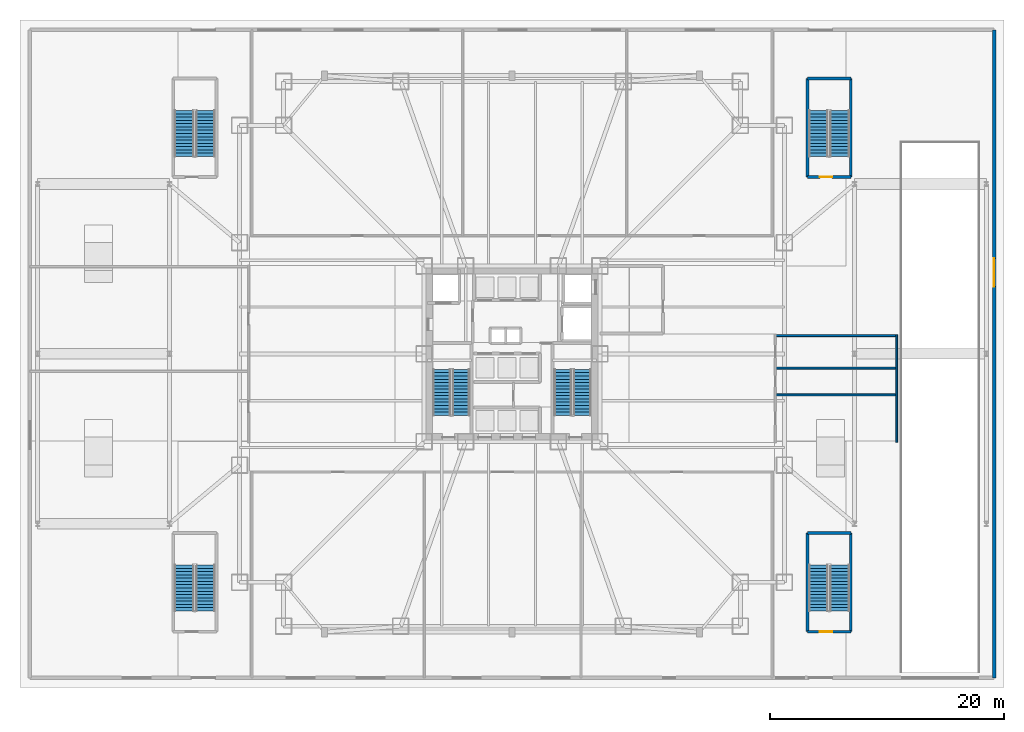
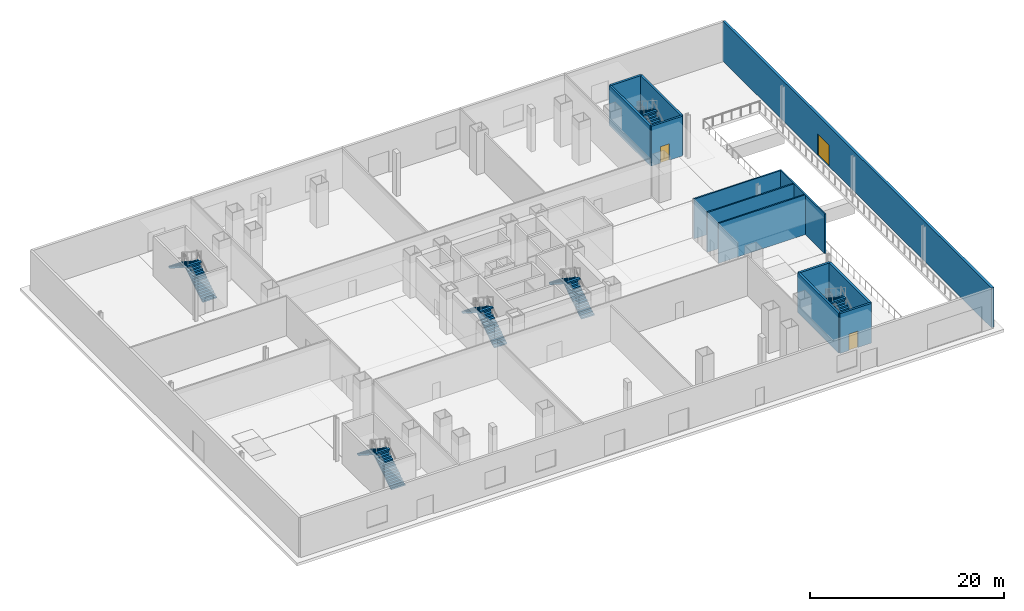
# One storey, part 11 of 24: 13 walls, 12 stair flights, 3 doors, 3 openings, 6 elements without a shape of their own.
"""IFC4 building model written with IfcOpenShell, lengths in metres."""

from ifc_helpers import new_model, si_unit, direction, frame, frame_2d, origin, place, context, subcontext, project, spatial, polyline, rectangle, outline, extrude, material, layer, layer_set, type_object, element, fill, aggregate, save


model = new_model("IFC4")

# Units and contexts
model_context = context("Model", 3, precision=1e-05, world=origin(), true_north=direction((0.0, 1.0)))
body_context = subcontext(model_context, "Body", "Model", "MODEL_VIEW")
ifc_project = project(units=[si_unit("LENGTHUNIT", "METRE"), si_unit("AREAUNIT", "SQUARE_METRE"), si_unit("VOLUMEUNIT", "CUBIC_METRE"), si_unit("PLANEANGLEUNIT", "RADIAN"), si_unit("MASSUNIT", "GRAM", prefix="KILO")], contexts=[model_context])

# Site, building, storey
site_placement = place(None, origin())
site = spatial("IfcSite", under=ifc_project, at=site_placement, CompositionType="ELEMENT")
building_placement = place(site_placement, origin())
building = spatial("IfcBuilding", under=site, at=building_placement, Name="Trevonay Congress Spire", CompositionType="ELEMENT")
storey_placement = place(building_placement, origin())
storey = spatial("IfcBuildingStorey", under=building, at=storey_placement, Name="L00", CompositionType="ELEMENT", Elevation=0.0)

# Wall, opening, door
ifc_material_1 = material(Name="Precast concrete C40/50", Category="concrete")
ifc_layer_1 = layer(ifc_material_1, 0.300048828125, Name="Precast concrete C40/50")
ifc_layer_set_1 = layer_set([ifc_layer_1], Name="Precast concrete C40/50")
wall_type_1 = type_object("IfcWallType", Name="WAL-EXT-PRECAST-300", PredefinedType="SOLIDWALL", material=ifc_layer_set_1)
wall_1_placement = place(storey_placement, frame((41.14990234375, 27.64990234375, 0.0), z_axis=(0.0, 0.0, 1.0), x_axis=(0.0, -1.0, 0.0)))
wall_1 = element("IfcWall", 1, at=wall_1_placement, inside=storey, type_object=wall_type_1, Name="L00 East colonnade backup wall", PredefinedType="SOLIDWALL", context=body_context, shape_type="SweptSolid", body=[
    extrude(rectangle(XDim=55.2998046875, YDim=0.300048828125, at=frame_2d((27.64990234375, 0.0))), origin(), (0.0, 0.0, 1.0), 5.0),
])
opening_1_placement = place(wall_1_placement, frame((19.5, 0.0, 0.0)))
opening_1 = element("IfcOpeningElement", 2, at=opening_1_placement, cuts=wall_1, Name="Opening D01", PredefinedType="OPENING", context=body_context, shape_type="SweptSolid", body=[
    extrude(rectangle(XDim=2.39990234375, YDim=2.699951171875, at=frame_2d((1.199951171875, 1.35009765625))), frame((0.0, 0.16015625, 0.0), z_axis=(0.0, -1.0, 0.0), x_axis=(1.0, 0.0, 0.0)), (0.0, 0.0, 1.0), 0.320068359375),
])
ifc_material_2 = material(Name="Pale Anodised Aluminium EN AW-6063-T6", Category="aluminium")
door_type_1 = type_object("IfcDoorType", Name="DOR-EXT-ENTR-DBL", OperationType="DOUBLE_DOOR_SINGLE_SWING", PredefinedType="DOOR", material=ifc_material_2)
door_1_placement = place(opening_1_placement, origin())
door_1 = element("IfcDoor", 3, at=door_1_placement, inside=storey, type_object=door_type_1, Name="L00 East plaza entrance portal door", OperationType="DOUBLE_DOOR_SINGLE_SWING", OverallHeight=2.699951171875, OverallWidth=2.39990234375, PredefinedType="DOOR", context=body_context, shape_type="SweptSolid", body=[
    extrude(rectangle(XDim=2.39990234375, YDim=2.699951171875, at=frame_2d((1.199951171875, 1.35009765625))), frame((0.0, 0.02490234375, 0.0), z_axis=(0.0, -1.0, 0.0), x_axis=(1.0, 0.0, 0.0)), (0.0, 0.0, 1.0), 0.050048828125),
])
fill(opening_1, door_1)

# Wall
ifc_material_3 = material(Name="Concrete C40/50", Category="concrete")
ifc_layer_2 = layer(ifc_material_3, 0.14990234375, Name="Concrete C40/50")
ifc_layer_set_2 = layer_set([ifc_layer_2], Name="Concrete C40/50")
wall_type_2 = type_object("IfcWallType", Name="WAL-PART-150", PredefinedType="PARTITIONING", material=ifc_layer_set_2)
wall_2_placement = place(storey_placement, frame((32.85009765625, -7.550048828125, 0.0), z_axis=(0.0, 0.0, 1.0), x_axis=(0.0, 1.0, 0.0)))
element("IfcWall", 4, at=wall_2_placement, inside=storey, type_object=wall_type_2, Name="L00 interior wall WL00-ECLS", PredefinedType="PARTITIONING", context=body_context, shape_type="SweptSolid", body=[
    extrude(rectangle(XDim=9.199951171875, YDim=0.14990234375, at=frame_2d((4.60009765625, 0.0))), origin(), (0.0, 0.0, 1.0), 5.0),
])

# Wall, opening, door
ifc_layer_3 = layer(ifc_material_3, 0.25, Name="Concrete C40/50")
ifc_layer_set_3 = layer_set([ifc_layer_3], Name="Concrete C40/50")
wall_type_3 = type_object("IfcWallType", Name="WAL-SHAFT-LB-250", PredefinedType="SHEAR", material=ifc_layer_set_3)
wall_3_placement = place(storey_placement, frame((25.22998046875, -23.719970703125, 0.0), z_axis=(0.0, 0.0, 1.0), x_axis=(1.0, 0.0, 0.0)))
wall_3 = element("IfcWall", 5, at=wall_3_placement, inside=storey, type_object=wall_type_3, Name="L00 interior shaft wall WSH-L00-ST-4-S", PredefinedType="SHEAR", context=body_context, shape_type="SweptSolid", body=[
    extrude(rectangle(XDim=3.68994140625, YDim=0.25, at=frame_2d((1.844970703125, 0.0))), origin(), (0.0, 0.0, 1.0), 5.0),
])
opening_2_placement = place(wall_3_placement, frame((1.050048828125, 0.0, 0.0)))
opening_2 = element("IfcOpeningElement", 6, at=opening_2_placement, cuts=wall_3, Name="Opening D05", PredefinedType="OPENING", context=body_context, shape_type="SweptSolid", body=[
    extrude(rectangle(XDim=1.050048828125, YDim=2.080078125, at=frame_2d((0.52490234375, 1.0400390625))), frame((0.0, 0.135009765625, 0.0), z_axis=(0.0, -1.0, 0.0), x_axis=(1.0, 0.0, 0.0)), (0.0, 0.0, 1.0), 0.27001953125),
])
ifc_material_4 = material(Name="Steel ASTM A572 Grade 50", Category="steel")
door_type_2 = type_object("IfcDoorType", Name="DOR-STAIR-110", OperationType="NOTDEFINED", PredefinedType="DOOR", material=ifc_material_4)
door_2_placement = place(opening_2_placement, origin())
door_2 = element("IfcDoor", 7, at=door_2_placement, inside=storey, type_object=door_type_2, Name="L00 Escape Stair ST-4 Door", OperationType="SINGLE_SWING_LEFT", OverallHeight=2.080078125, OverallWidth=1.050048828125, PredefinedType="DOOR", context=body_context, shape_type="SweptSolid", body=[
    extrude(rectangle(XDim=1.050048828125, YDim=2.080078125, at=frame_2d((0.52490234375, 1.0400390625))), frame((0.0, 0.02490234375, 0.0), z_axis=(0.0, -1.0, 0.0), x_axis=(1.0, 0.0, 0.0)), (0.0, 0.0, 1.0), 0.050048828125),
])
fill(opening_2, door_2)

# Walls
wall_4_placement = place(storey_placement, frame((25.22998046875, -15.280029296875, 0.0), z_axis=(0.0, 0.0, 1.0), x_axis=(1.0, 0.0, 0.0)))
element("IfcWall", 8, at=wall_4_placement, inside=storey, type_object=wall_type_3, Name="L00 interior shaft wall WSH-L00-ST-4-N", PredefinedType="SHEAR", context=body_context, shape_type="SweptSolid", body=[
    extrude(rectangle(XDim=3.68994140625, YDim=0.25, at=frame_2d((1.844970703125, 0.0))), origin(), (0.0, 0.0, 1.0), 5.0),
])
for number, where, z_axis, x_axis, name in (
    (9, (25.22998046875, -23.719970703125, 0.0), (0.0, 0.0, 1.0), (0.0, 1.0, 0.0), "L00 interior shaft wall WSH-L00-ST-4-W"),
    (10, (28.919921875, -23.719970703125, 0.0), (0.0, 0.0, 1.0), (0.0, 1.0, 0.0), "L00 interior shaft wall WSH-L00-ST-4-E"),
):
    element("IfcWall", number, at=place(storey_placement, frame(where, z_axis=z_axis, x_axis=x_axis)), inside=storey, type_object=wall_type_3, Name=name, PredefinedType="SHEAR", context=body_context, shape_type="SweptSolid", body=[
        extrude(rectangle(XDim=8.43994140625, YDim=0.25, at=frame_2d((4.219970703125, 0.0))), origin(), (0.0, 0.0, 1.0), 5.0),
    ])

# Wall, opening, door
wall_5_placement = place(storey_placement, frame((25.22998046875, 15.080078125, 0.0), z_axis=(0.0, 0.0, 1.0), x_axis=(1.0, 0.0, 0.0)))
wall_5 = element("IfcWall", 11, at=wall_5_placement, inside=storey, type_object=wall_type_3, Name="L00 interior shaft wall WSH-L00-ST-6-S", PredefinedType="SHEAR", context=body_context, shape_type="SweptSolid", body=[
    extrude(rectangle(XDim=3.68994140625, YDim=0.25, at=frame_2d((1.844970703125, 0.0))), origin(), (0.0, 0.0, 1.0), 5.0),
])
opening_3_placement = place(wall_5_placement, frame((1.050048828125, 0.0, 0.0)))
opening_3 = element("IfcOpeningElement", 12, at=opening_3_placement, cuts=wall_5, Name="Opening D05", PredefinedType="OPENING", context=body_context, shape_type="SweptSolid", body=[
    extrude(rectangle(XDim=1.050048828125, YDim=2.080078125, at=frame_2d((0.52490234375, 1.0400390625))), frame((0.0, 0.135009765625, 0.0), z_axis=(0.0, -1.0, 0.0), x_axis=(1.0, 0.0, 0.0)), (0.0, 0.0, 1.0), 0.27001953125),
])
door_3_placement = place(opening_3_placement, origin())
door_3 = element("IfcDoor", 13, at=door_3_placement, inside=storey, type_object=door_type_2, Name="L00 Escape Stair ST-6 Door", OperationType="SINGLE_SWING_LEFT", OverallHeight=2.080078125, OverallWidth=1.050048828125, PredefinedType="DOOR", context=body_context, shape_type="SweptSolid", body=[
    extrude(rectangle(XDim=1.050048828125, YDim=2.080078125, at=frame_2d((0.52490234375, 1.0400390625))), frame((0.0, 0.02490234375, 0.0), z_axis=(0.0, -1.0, 0.0), x_axis=(1.0, 0.0, 0.0)), (0.0, 0.0, 1.0), 0.050048828125),
])
fill(opening_3, door_3)

# Walls
wall_6_placement = place(storey_placement, frame((25.22998046875, 23.52001953125, 0.0), z_axis=(0.0, 0.0, 1.0), x_axis=(1.0, 0.0, 0.0)))
element("IfcWall", 14, at=wall_6_placement, inside=storey, type_object=wall_type_3, Name="L00 interior shaft wall WSH-L00-ST-6-N", PredefinedType="SHEAR", context=body_context, shape_type="SweptSolid", body=[
    extrude(rectangle(XDim=3.68994140625, YDim=0.25, at=frame_2d((1.844970703125, 0.0))), origin(), (0.0, 0.0, 1.0), 5.0),
])
for number, where, z_axis, x_axis, name in (
    (15, (25.22998046875, 15.080078125, 0.0), (0.0, 0.0, 1.0), (0.0, 1.0, 0.0), "L00 interior shaft wall WSH-L00-ST-6-W"),
    (16, (28.919921875, 15.080078125, 0.0), (0.0, 0.0, 1.0), (0.0, 1.0, 0.0), "L00 interior shaft wall WSH-L00-ST-6-E"),
):
    element("IfcWall", number, at=place(storey_placement, frame(where, z_axis=z_axis, x_axis=x_axis)), inside=storey, type_object=wall_type_3, Name=name, PredefinedType="SHEAR", context=body_context, shape_type="SweptSolid", body=[
        extrude(rectangle(XDim=8.43994140625, YDim=0.25, at=frame_2d((4.219970703125, 0.0))), origin(), (0.0, 0.0, 1.0), 5.0),
    ])
ifc_layer_4 = layer(ifc_material_3, 0.1650390625, Name="Concrete C40/50")
ifc_layer_set_4 = layer_set([ifc_layer_4], Name="Concrete C40/50")
wall_type_4 = type_object("IfcWallType", Name="WAL-WET-165", PredefinedType="PLUMBINGWALL", material=ifc_layer_set_4)
for number, where, z_axis, x_axis, name in (
    (17, (22.47998046875, -1.219970703125, 0.0), (0.0, 0.0, 1.0), (1.0, 0.0, 0.0), "L00 interior wall WP-L00E-WCS2"),
    (18, (22.47998046875, -3.5, 0.0), (0.0, 0.0, 1.0), (1.0, 0.0, 0.0), "L00 interior wall WP-L00E-DIV1"),
    (19, (22.47998046875, 1.550048828125, 0.0), (0.0, 0.0, 1.0), (1.0, 0.0, 0.0), "L00 interior wall WP-L00E-DIV2"),
):
    element("IfcWall", number, at=place(storey_placement, frame(where, z_axis=z_axis, x_axis=x_axis)), inside=storey, type_object=wall_type_4, Name=name, PredefinedType="PLUMBINGWALL", context=body_context, shape_type="SweptSolid", body=[
        extrude(rectangle(XDim=10.3701171875, YDim=0.1650390625, at=frame_2d((5.18505859375, 0.0))), origin(), (0.0, 0.0, 1.0), 5.0),
    ])

# Stair, stair flights
stair_type_1 = type_object("IfcStairType", Name="STR-ST-1", PredefinedType="HALF_TURN_STAIR", material=ifc_material_3)
stair_1_placement = place(storey_placement, origin())
stair_1 = element("IfcStair", 20, at=stair_1_placement, inside=storey, type_object=stair_type_1, Name="L00 Protected Exit Stair ST-1", PredefinedType="HALF_TURN_STAIR")
stair_flight_type_1 = type_object("IfcStairFlightType", Name="SFL-ST-1", PredefinedType="STRAIGHT", material=ifc_material_3)
stair_flight_1_placement = place(storey_placement, frame((-4.35009765625, -5.25, 0.0), z_axis=(0.0, 0.0, 1.0), x_axis=(0.0, 1.0, 0.0)))
stair_flight_1 = element("IfcStairFlight", 21, at=stair_flight_1_placement, type_object=stair_flight_type_1, Name="ST-1 flight 1", NumberOfRisers=15, NumberOfTreads=14, PredefinedType="STRAIGHT", RiserHeight=0.18, TreadLength=0.28, context=body_context, shape_type="SweptSolid", body=[
    extrude(outline(polyline([(0.0, 0.0), (0.0, 0.179931640625), (0.280029296875, 0.179931640625), (0.280029296875, 0.360107421875), (0.56005859375, 0.360107421875), (0.56005859375, 0.5400390625), (0.840087890625, 0.5400390625), (0.840087890625, 0.719970703125), (1.1201171875, 0.719970703125), (1.1201171875, 0.89990234375), (1.39990234375, 0.89990234375), (1.39990234375, 1.080078125), (1.679931640625, 1.080078125), (1.679931640625, 1.260009765625), (1.9599609375, 1.260009765625), (1.9599609375, 1.43994140625), (2.239990234375, 1.43994140625), (2.239990234375, 1.6201171875), (2.52001953125, 1.6201171875), (2.52001953125, 1.800048828125), (2.800048828125, 1.800048828125), (2.800048828125, 1.97998046875), (3.080078125, 1.97998046875), (3.080078125, 2.159912109375), (3.360107421875, 2.159912109375), (3.360107421875, 2.340087890625), (3.639892578125, 2.340087890625), (3.639892578125, 2.52001953125), (3.919921875, 2.52001953125), (3.919921875, 2.699951171875), (3.919921875, 2.341796875), (0.277099609375, 0.0), (0.0, 0.0)])), frame((0.0, 0.75, 0.0), z_axis=(0.0, -1.0, 0.0), x_axis=(1.0, 0.0, 0.0)), (0.0, 0.0, 1.0), 1.5),
])
stair_flight_2_placement = place(storey_placement, frame((-6.0, -1.330078125, 2.699951171875), z_axis=(0.0, 0.0, 1.0), x_axis=(0.0, -1.0, 0.0)))
stair_flight_2 = element("IfcStairFlight", 22, at=stair_flight_2_placement, type_object=stair_flight_type_1, Name="ST-1 flight 2", NumberOfRisers=15, NumberOfTreads=14, PredefinedType="STRAIGHT", RiserHeight=0.18, TreadLength=0.28, context=body_context, shape_type="SweptSolid", body=[
    extrude(outline(polyline([(0.0, 0.0), (0.0, 0.179931640625), (0.280029296875, 0.179931640625), (0.280029296875, 0.360107421875), (0.56005859375, 0.360107421875), (0.56005859375, 0.5400390625), (0.840087890625, 0.5400390625), (0.840087890625, 0.719970703125), (1.1201171875, 0.719970703125), (1.1201171875, 0.89990234375), (1.39990234375, 0.89990234375), (1.39990234375, 1.080078125), (1.679931640625, 1.080078125), (1.679931640625, 1.260009765625), (1.9599609375, 1.260009765625), (1.9599609375, 1.43994140625), (2.239990234375, 1.43994140625), (2.239990234375, 1.6201171875), (2.52001953125, 1.6201171875), (2.52001953125, 1.800048828125), (2.800048828125, 1.800048828125), (2.800048828125, 1.97998046875), (3.080078125, 1.97998046875), (3.080078125, 2.159912109375), (3.360107421875, 2.159912109375), (3.360107421875, 2.340087890625), (3.639892578125, 2.340087890625), (3.639892578125, 2.52001953125), (3.919921875, 2.52001953125), (3.919921875, 2.699951171875), (3.919921875, 2.341796875), (0.277099609375, 0.0), (0.0, 0.0)])), frame((0.0, 0.75, 0.0), z_axis=(0.0, -1.0, 0.0), x_axis=(1.0, 0.0, 0.0)), (0.0, 0.0, 1.0), 1.5),
])
aggregate(stair_1, [stair_flight_1, stair_flight_2])

stair_type_2 = type_object("IfcStairType", Name="STR-ST-2", PredefinedType="HALF_TURN_STAIR", material=ifc_material_3)
stair_2_placement = place(storey_placement, origin())
stair_2 = element("IfcStair", 23, at=stair_2_placement, inside=storey, type_object=stair_type_2, Name="L00 Protected Exit Stair ST-2", PredefinedType="HALF_TURN_STAIR")
stair_flight_type_2 = type_object("IfcStairFlightType", Name="SFL-ST-2", PredefinedType="STRAIGHT", material=ifc_material_3)
stair_flight_3_placement = place(storey_placement, frame((6.0, -5.25, 0.0), z_axis=(0.0, 0.0, 1.0), x_axis=(0.0, 1.0, 0.0)))
stair_flight_3 = element("IfcStairFlight", 24, at=stair_flight_3_placement, type_object=stair_flight_type_2, Name="ST-2 flight 1", NumberOfRisers=15, NumberOfTreads=14, PredefinedType="STRAIGHT", RiserHeight=0.18, TreadLength=0.28, context=body_context, shape_type="SweptSolid", body=[
    extrude(outline(polyline([(0.0, 0.0), (0.0, 0.179931640625), (0.280029296875, 0.179931640625), (0.280029296875, 0.360107421875), (0.56005859375, 0.360107421875), (0.56005859375, 0.5400390625), (0.840087890625, 0.5400390625), (0.840087890625, 0.719970703125), (1.1201171875, 0.719970703125), (1.1201171875, 0.89990234375), (1.39990234375, 0.89990234375), (1.39990234375, 1.080078125), (1.679931640625, 1.080078125), (1.679931640625, 1.260009765625), (1.9599609375, 1.260009765625), (1.9599609375, 1.43994140625), (2.239990234375, 1.43994140625), (2.239990234375, 1.6201171875), (2.52001953125, 1.6201171875), (2.52001953125, 1.800048828125), (2.800048828125, 1.800048828125), (2.800048828125, 1.97998046875), (3.080078125, 1.97998046875), (3.080078125, 2.159912109375), (3.360107421875, 2.159912109375), (3.360107421875, 2.340087890625), (3.639892578125, 2.340087890625), (3.639892578125, 2.52001953125), (3.919921875, 2.52001953125), (3.919921875, 2.699951171875), (3.919921875, 2.341796875), (0.277099609375, 0.0), (0.0, 0.0)])), frame((0.0, 0.75, 0.0), z_axis=(0.0, -1.0, 0.0), x_axis=(1.0, 0.0, 0.0)), (0.0, 0.0, 1.0), 1.5),
])
stair_flight_4_placement = place(storey_placement, frame((4.35009765625, -1.330078125, 2.699951171875), z_axis=(0.0, 0.0, 1.0), x_axis=(0.0, -1.0, 0.0)))
stair_flight_4 = element("IfcStairFlight", 25, at=stair_flight_4_placement, type_object=stair_flight_type_2, Name="ST-2 flight 2", NumberOfRisers=15, NumberOfTreads=14, PredefinedType="STRAIGHT", RiserHeight=0.18, TreadLength=0.28, context=body_context, shape_type="SweptSolid", body=[
    extrude(outline(polyline([(0.0, 0.0), (0.0, 0.179931640625), (0.280029296875, 0.179931640625), (0.280029296875, 0.360107421875), (0.56005859375, 0.360107421875), (0.56005859375, 0.5400390625), (0.840087890625, 0.5400390625), (0.840087890625, 0.719970703125), (1.1201171875, 0.719970703125), (1.1201171875, 0.89990234375), (1.39990234375, 0.89990234375), (1.39990234375, 1.080078125), (1.679931640625, 1.080078125), (1.679931640625, 1.260009765625), (1.9599609375, 1.260009765625), (1.9599609375, 1.43994140625), (2.239990234375, 1.43994140625), (2.239990234375, 1.6201171875), (2.52001953125, 1.6201171875), (2.52001953125, 1.800048828125), (2.800048828125, 1.800048828125), (2.800048828125, 1.97998046875), (3.080078125, 1.97998046875), (3.080078125, 2.159912109375), (3.360107421875, 2.159912109375), (3.360107421875, 2.340087890625), (3.639892578125, 2.340087890625), (3.639892578125, 2.52001953125), (3.919921875, 2.52001953125), (3.919921875, 2.699951171875), (3.919921875, 2.341796875), (0.277099609375, 0.0), (0.0, 0.0)])), frame((0.0, 0.75, 0.0), z_axis=(0.0, -1.0, 0.0), x_axis=(1.0, 0.0, 0.0)), (0.0, 0.0, 1.0), 1.5),
])
aggregate(stair_2, [stair_flight_3, stair_flight_4])

stair_type_3 = type_object("IfcStairType", Name="STR-ST-3", PredefinedType="HALF_TURN_STAIR", material=ifc_material_3)
stair_3_placement = place(storey_placement, origin())
stair_3 = element("IfcStair", 26, at=stair_3_placement, inside=storey, type_object=stair_type_3, Name="L00 Protected Exit Stair ST-3", PredefinedType="HALF_TURN_STAIR")
stair_flight_type_3 = type_object("IfcStairFlightType", Name="SFL-ST-3", PredefinedType="STRAIGHT", material=ifc_material_3)
stair_flight_5_placement = place(storey_placement, frame((-26.175048828125, -21.949951171875, 0.0), z_axis=(0.0, 0.0, 1.0), x_axis=(0.0, 1.0, 0.0)))
stair_flight_5 = element("IfcStairFlight", 27, at=stair_flight_5_placement, type_object=stair_flight_type_3, Name="ST-3 flight 1", NumberOfRisers=15, NumberOfTreads=14, PredefinedType="STRAIGHT", RiserHeight=0.18, TreadLength=0.28, context=body_context, shape_type="SweptSolid", body=[
    extrude(outline(polyline([(0.0, 0.0), (0.0, 0.179931640625), (0.280029296875, 0.179931640625), (0.280029296875, 0.360107421875), (0.56005859375, 0.360107421875), (0.56005859375, 0.5400390625), (0.840087890625, 0.5400390625), (0.840087890625, 0.719970703125), (1.1201171875, 0.719970703125), (1.1201171875, 0.89990234375), (1.39990234375, 0.89990234375), (1.39990234375, 1.080078125), (1.679931640625, 1.080078125), (1.679931640625, 1.260009765625), (1.9599609375, 1.260009765625), (1.9599609375, 1.43994140625), (2.239990234375, 1.43994140625), (2.239990234375, 1.6201171875), (2.52001953125, 1.6201171875), (2.52001953125, 1.800048828125), (2.800048828125, 1.800048828125), (2.800048828125, 1.97998046875), (3.080078125, 1.97998046875), (3.080078125, 2.159912109375), (3.360107421875, 2.159912109375), (3.360107421875, 2.340087890625), (3.639892578125, 2.340087890625), (3.639892578125, 2.52001953125), (3.919921875, 2.52001953125), (3.919921875, 2.699951171875), (3.919921875, 2.341796875), (0.277099609375, 0.0), (0.0, 0.0)])), frame((0.0, 0.824951171875, 0.0), z_axis=(0.0, -1.0, 0.0), x_axis=(1.0, 0.0, 0.0)), (0.0, 0.0, 1.0), 1.64990234375),
])
stair_flight_6_placement = place(storey_placement, frame((-27.97509765625, -18.030029296875, 2.699951171875), z_axis=(0.0, 0.0, 1.0), x_axis=(0.0, -1.0, 0.0)))
stair_flight_6 = element("IfcStairFlight", 28, at=stair_flight_6_placement, type_object=stair_flight_type_3, Name="ST-3 flight 2", NumberOfRisers=15, NumberOfTreads=14, PredefinedType="STRAIGHT", RiserHeight=0.18, TreadLength=0.28, context=body_context, shape_type="SweptSolid", body=[
    extrude(outline(polyline([(0.0, 0.0), (0.0, 0.179931640625), (0.280029296875, 0.179931640625), (0.280029296875, 0.360107421875), (0.56005859375, 0.360107421875), (0.56005859375, 0.5400390625), (0.840087890625, 0.5400390625), (0.840087890625, 0.719970703125), (1.1201171875, 0.719970703125), (1.1201171875, 0.89990234375), (1.39990234375, 0.89990234375), (1.39990234375, 1.080078125), (1.679931640625, 1.080078125), (1.679931640625, 1.260009765625), (1.9599609375, 1.260009765625), (1.9599609375, 1.43994140625), (2.239990234375, 1.43994140625), (2.239990234375, 1.6201171875), (2.52001953125, 1.6201171875), (2.52001953125, 1.800048828125), (2.800048828125, 1.800048828125), (2.800048828125, 1.97998046875), (3.080078125, 1.97998046875), (3.080078125, 2.159912109375), (3.360107421875, 2.159912109375), (3.360107421875, 2.340087890625), (3.639892578125, 2.340087890625), (3.639892578125, 2.52001953125), (3.919921875, 2.52001953125), (3.919921875, 2.699951171875), (3.919921875, 2.341796875), (0.277099609375, 0.0), (0.0, 0.0)])), frame((0.0, 0.824951171875, 0.0), z_axis=(0.0, -1.0, 0.0), x_axis=(1.0, 0.0, 0.0)), (0.0, 0.0, 1.0), 1.64990234375),
])
aggregate(stair_3, [stair_flight_5, stair_flight_6])

stair_type_4 = type_object("IfcStairType", Name="STR-ST-4", PredefinedType="HALF_TURN_STAIR", material=ifc_material_3)
stair_4_placement = place(storey_placement, origin())
stair_4 = element("IfcStair", 29, at=stair_4_placement, inside=storey, type_object=stair_type_4, Name="L00 Protected Exit Stair ST-4", PredefinedType="HALF_TURN_STAIR")
stair_flight_type_4 = type_object("IfcStairFlightType", Name="SFL-ST-4", PredefinedType="STRAIGHT", material=ifc_material_3)
stair_flight_7_placement = place(storey_placement, frame((27.97509765625, -21.949951171875, 0.0), z_axis=(0.0, 0.0, 1.0), x_axis=(0.0, 1.0, 0.0)))
stair_flight_7 = element("IfcStairFlight", 30, at=stair_flight_7_placement, type_object=stair_flight_type_4, Name="ST-4 flight 1", NumberOfRisers=15, NumberOfTreads=14, PredefinedType="STRAIGHT", RiserHeight=0.18, TreadLength=0.28, context=body_context, shape_type="SweptSolid", body=[
    extrude(outline(polyline([(0.0, 0.0), (0.0, 0.179931640625), (0.280029296875, 0.179931640625), (0.280029296875, 0.360107421875), (0.56005859375, 0.360107421875), (0.56005859375, 0.5400390625), (0.840087890625, 0.5400390625), (0.840087890625, 0.719970703125), (1.1201171875, 0.719970703125), (1.1201171875, 0.89990234375), (1.39990234375, 0.89990234375), (1.39990234375, 1.080078125), (1.679931640625, 1.080078125), (1.679931640625, 1.260009765625), (1.9599609375, 1.260009765625), (1.9599609375, 1.43994140625), (2.239990234375, 1.43994140625), (2.239990234375, 1.6201171875), (2.52001953125, 1.6201171875), (2.52001953125, 1.800048828125), (2.800048828125, 1.800048828125), (2.800048828125, 1.97998046875), (3.080078125, 1.97998046875), (3.080078125, 2.159912109375), (3.360107421875, 2.159912109375), (3.360107421875, 2.340087890625), (3.639892578125, 2.340087890625), (3.639892578125, 2.52001953125), (3.919921875, 2.52001953125), (3.919921875, 2.699951171875), (3.919921875, 2.341796875), (0.277099609375, 0.0), (0.0, 0.0)])), frame((0.0, 0.824951171875, 0.0), z_axis=(0.0, -1.0, 0.0), x_axis=(1.0, 0.0, 0.0)), (0.0, 0.0, 1.0), 1.64990234375),
])
stair_flight_8_placement = place(storey_placement, frame((26.175048828125, -18.030029296875, 2.699951171875), z_axis=(0.0, 0.0, 1.0), x_axis=(0.0, -1.0, 0.0)))
stair_flight_8 = element("IfcStairFlight", 31, at=stair_flight_8_placement, type_object=stair_flight_type_4, Name="ST-4 flight 2", NumberOfRisers=15, NumberOfTreads=14, PredefinedType="STRAIGHT", RiserHeight=0.18, TreadLength=0.28, context=body_context, shape_type="SweptSolid", body=[
    extrude(outline(polyline([(0.0, 0.0), (0.0, 0.179931640625), (0.280029296875, 0.179931640625), (0.280029296875, 0.360107421875), (0.56005859375, 0.360107421875), (0.56005859375, 0.5400390625), (0.840087890625, 0.5400390625), (0.840087890625, 0.719970703125), (1.1201171875, 0.719970703125), (1.1201171875, 0.89990234375), (1.39990234375, 0.89990234375), (1.39990234375, 1.080078125), (1.679931640625, 1.080078125), (1.679931640625, 1.260009765625), (1.9599609375, 1.260009765625), (1.9599609375, 1.43994140625), (2.239990234375, 1.43994140625), (2.239990234375, 1.6201171875), (2.52001953125, 1.6201171875), (2.52001953125, 1.800048828125), (2.800048828125, 1.800048828125), (2.800048828125, 1.97998046875), (3.080078125, 1.97998046875), (3.080078125, 2.159912109375), (3.360107421875, 2.159912109375), (3.360107421875, 2.340087890625), (3.639892578125, 2.340087890625), (3.639892578125, 2.52001953125), (3.919921875, 2.52001953125), (3.919921875, 2.699951171875), (3.919921875, 2.341796875), (0.277099609375, 0.0), (0.0, 0.0)])), frame((0.0, 0.824951171875, 0.0), z_axis=(0.0, -1.0, 0.0), x_axis=(1.0, 0.0, 0.0)), (0.0, 0.0, 1.0), 1.64990234375),
])
aggregate(stair_4, [stair_flight_7, stair_flight_8])

stair_type_5 = type_object("IfcStairType", Name="STR-ST-5", PredefinedType="HALF_TURN_STAIR", material=ifc_material_3)
stair_5_placement = place(storey_placement, origin())
stair_5 = element("IfcStair", 32, at=stair_5_placement, inside=storey, type_object=stair_type_5, Name="L00 Protected Exit Stair ST-5", PredefinedType="HALF_TURN_STAIR")
stair_flight_type_5 = type_object("IfcStairFlightType", Name="SFL-ST-5", PredefinedType="STRAIGHT", material=ifc_material_3)
stair_flight_9_placement = place(storey_placement, frame((-26.175048828125, 16.85009765625, 0.0), z_axis=(0.0, 0.0, 1.0), x_axis=(0.0, 1.0, 0.0)))
stair_flight_9 = element("IfcStairFlight", 33, at=stair_flight_9_placement, type_object=stair_flight_type_5, Name="ST-5 flight 1", NumberOfRisers=15, NumberOfTreads=14, PredefinedType="STRAIGHT", RiserHeight=0.18, TreadLength=0.28, context=body_context, shape_type="SweptSolid", body=[
    extrude(outline(polyline([(0.0, 0.0), (0.0, 0.179931640625), (0.280029296875, 0.179931640625), (0.280029296875, 0.360107421875), (0.56005859375, 0.360107421875), (0.56005859375, 0.5400390625), (0.840087890625, 0.5400390625), (0.840087890625, 0.719970703125), (1.1201171875, 0.719970703125), (1.1201171875, 0.89990234375), (1.39990234375, 0.89990234375), (1.39990234375, 1.080078125), (1.679931640625, 1.080078125), (1.679931640625, 1.260009765625), (1.9599609375, 1.260009765625), (1.9599609375, 1.43994140625), (2.239990234375, 1.43994140625), (2.239990234375, 1.6201171875), (2.52001953125, 1.6201171875), (2.52001953125, 1.800048828125), (2.800048828125, 1.800048828125), (2.800048828125, 1.97998046875), (3.080078125, 1.97998046875), (3.080078125, 2.159912109375), (3.360107421875, 2.159912109375), (3.360107421875, 2.340087890625), (3.639892578125, 2.340087890625), (3.639892578125, 2.52001953125), (3.919921875, 2.52001953125), (3.919921875, 2.699951171875), (3.919921875, 2.341796875), (0.277099609375, 0.0), (0.0, 0.0)])), frame((0.0, 0.824951171875, 0.0), z_axis=(0.0, -1.0, 0.0), x_axis=(1.0, 0.0, 0.0)), (0.0, 0.0, 1.0), 1.64990234375),
])
stair_flight_10_placement = place(storey_placement, frame((-27.97509765625, 20.77001953125, 2.699951171875), z_axis=(0.0, 0.0, 1.0), x_axis=(0.0, -1.0, 0.0)))
stair_flight_10 = element("IfcStairFlight", 34, at=stair_flight_10_placement, type_object=stair_flight_type_5, Name="ST-5 flight 2", NumberOfRisers=15, NumberOfTreads=14, PredefinedType="STRAIGHT", RiserHeight=0.18, TreadLength=0.28, context=body_context, shape_type="SweptSolid", body=[
    extrude(outline(polyline([(0.0, 0.0), (0.0, 0.179931640625), (0.280029296875, 0.179931640625), (0.280029296875, 0.360107421875), (0.56005859375, 0.360107421875), (0.56005859375, 0.5400390625), (0.840087890625, 0.5400390625), (0.840087890625, 0.719970703125), (1.1201171875, 0.719970703125), (1.1201171875, 0.89990234375), (1.39990234375, 0.89990234375), (1.39990234375, 1.080078125), (1.679931640625, 1.080078125), (1.679931640625, 1.260009765625), (1.9599609375, 1.260009765625), (1.9599609375, 1.43994140625), (2.239990234375, 1.43994140625), (2.239990234375, 1.6201171875), (2.52001953125, 1.6201171875), (2.52001953125, 1.800048828125), (2.800048828125, 1.800048828125), (2.800048828125, 1.97998046875), (3.080078125, 1.97998046875), (3.080078125, 2.159912109375), (3.360107421875, 2.159912109375), (3.360107421875, 2.340087890625), (3.639892578125, 2.340087890625), (3.639892578125, 2.52001953125), (3.919921875, 2.52001953125), (3.919921875, 2.699951171875), (3.919921875, 2.341796875), (0.277099609375, 0.0), (0.0, 0.0)])), frame((0.0, 0.824951171875, 0.0), z_axis=(0.0, -1.0, 0.0), x_axis=(1.0, 0.0, 0.0)), (0.0, 0.0, 1.0), 1.64990234375),
])
aggregate(stair_5, [stair_flight_9, stair_flight_10])

stair_type_6 = type_object("IfcStairType", Name="STR-ST-6", PredefinedType="HALF_TURN_STAIR", material=ifc_material_3)
stair_6_placement = place(storey_placement, origin())
stair_6 = element("IfcStair", 35, at=stair_6_placement, inside=storey, type_object=stair_type_6, Name="L00 Protected Exit Stair ST-6", PredefinedType="HALF_TURN_STAIR")
stair_flight_type_6 = type_object("IfcStairFlightType", Name="SFL-ST-6", PredefinedType="STRAIGHT", material=ifc_material_3)
stair_flight_11_placement = place(storey_placement, frame((27.97509765625, 16.85009765625, 0.0), z_axis=(0.0, 0.0, 1.0), x_axis=(0.0, 1.0, 0.0)))
stair_flight_11 = element("IfcStairFlight", 36, at=stair_flight_11_placement, type_object=stair_flight_type_6, Name="ST-6 flight 1", NumberOfRisers=15, NumberOfTreads=14, PredefinedType="STRAIGHT", RiserHeight=0.18, TreadLength=0.28, context=body_context, shape_type="SweptSolid", body=[
    extrude(outline(polyline([(0.0, 0.0), (0.0, 0.179931640625), (0.280029296875, 0.179931640625), (0.280029296875, 0.360107421875), (0.56005859375, 0.360107421875), (0.56005859375, 0.5400390625), (0.840087890625, 0.5400390625), (0.840087890625, 0.719970703125), (1.1201171875, 0.719970703125), (1.1201171875, 0.89990234375), (1.39990234375, 0.89990234375), (1.39990234375, 1.080078125), (1.679931640625, 1.080078125), (1.679931640625, 1.260009765625), (1.9599609375, 1.260009765625), (1.9599609375, 1.43994140625), (2.239990234375, 1.43994140625), (2.239990234375, 1.6201171875), (2.52001953125, 1.6201171875), (2.52001953125, 1.800048828125), (2.800048828125, 1.800048828125), (2.800048828125, 1.97998046875), (3.080078125, 1.97998046875), (3.080078125, 2.159912109375), (3.360107421875, 2.159912109375), (3.360107421875, 2.340087890625), (3.639892578125, 2.340087890625), (3.639892578125, 2.52001953125), (3.919921875, 2.52001953125), (3.919921875, 2.699951171875), (3.919921875, 2.341796875), (0.277099609375, 0.0), (0.0, 0.0)])), frame((0.0, 0.824951171875, 0.0), z_axis=(0.0, -1.0, 0.0), x_axis=(1.0, 0.0, 0.0)), (0.0, 0.0, 1.0), 1.64990234375),
])
stair_flight_12_placement = place(storey_placement, frame((26.175048828125, 20.77001953125, 2.699951171875), z_axis=(0.0, 0.0, 1.0), x_axis=(0.0, -1.0, 0.0)))
stair_flight_12 = element("IfcStairFlight", 37, at=stair_flight_12_placement, type_object=stair_flight_type_6, Name="ST-6 flight 2", NumberOfRisers=15, NumberOfTreads=14, PredefinedType="STRAIGHT", RiserHeight=0.18, TreadLength=0.28, context=body_context, shape_type="SweptSolid", body=[
    extrude(outline(polyline([(0.0, 0.0), (0.0, 0.179931640625), (0.280029296875, 0.179931640625), (0.280029296875, 0.360107421875), (0.56005859375, 0.360107421875), (0.56005859375, 0.5400390625), (0.840087890625, 0.5400390625), (0.840087890625, 0.719970703125), (1.1201171875, 0.719970703125), (1.1201171875, 0.89990234375), (1.39990234375, 0.89990234375), (1.39990234375, 1.080078125), (1.679931640625, 1.080078125), (1.679931640625, 1.260009765625), (1.9599609375, 1.260009765625), (1.9599609375, 1.43994140625), (2.239990234375, 1.43994140625), (2.239990234375, 1.6201171875), (2.52001953125, 1.6201171875), (2.52001953125, 1.800048828125), (2.800048828125, 1.800048828125), (2.800048828125, 1.97998046875), (3.080078125, 1.97998046875), (3.080078125, 2.159912109375), (3.360107421875, 2.159912109375), (3.360107421875, 2.340087890625), (3.639892578125, 2.340087890625), (3.639892578125, 2.52001953125), (3.919921875, 2.52001953125), (3.919921875, 2.699951171875), (3.919921875, 2.341796875), (0.277099609375, 0.0), (0.0, 0.0)])), frame((0.0, 0.824951171875, 0.0), z_axis=(0.0, -1.0, 0.0), x_axis=(1.0, 0.0, 0.0)), (0.0, 0.0, 1.0), 1.64990234375),
])
aggregate(stair_6, [stair_flight_11, stair_flight_12])

save(model, "model.ifc")
